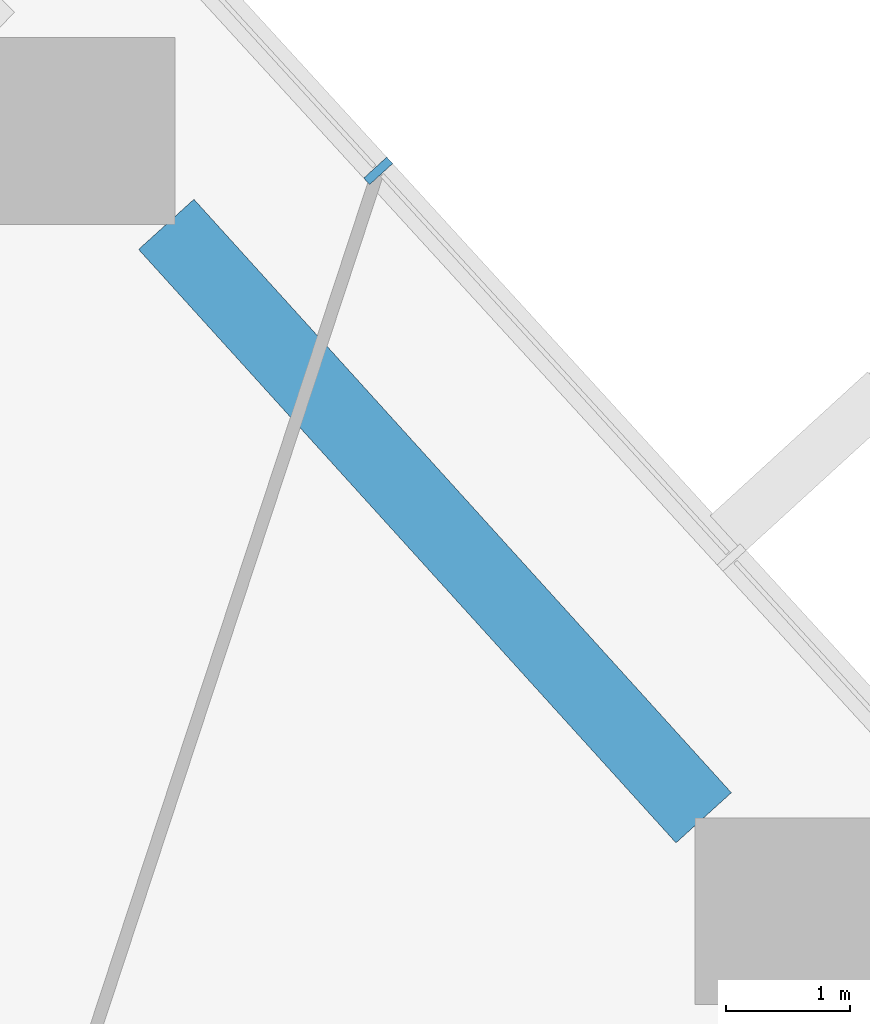
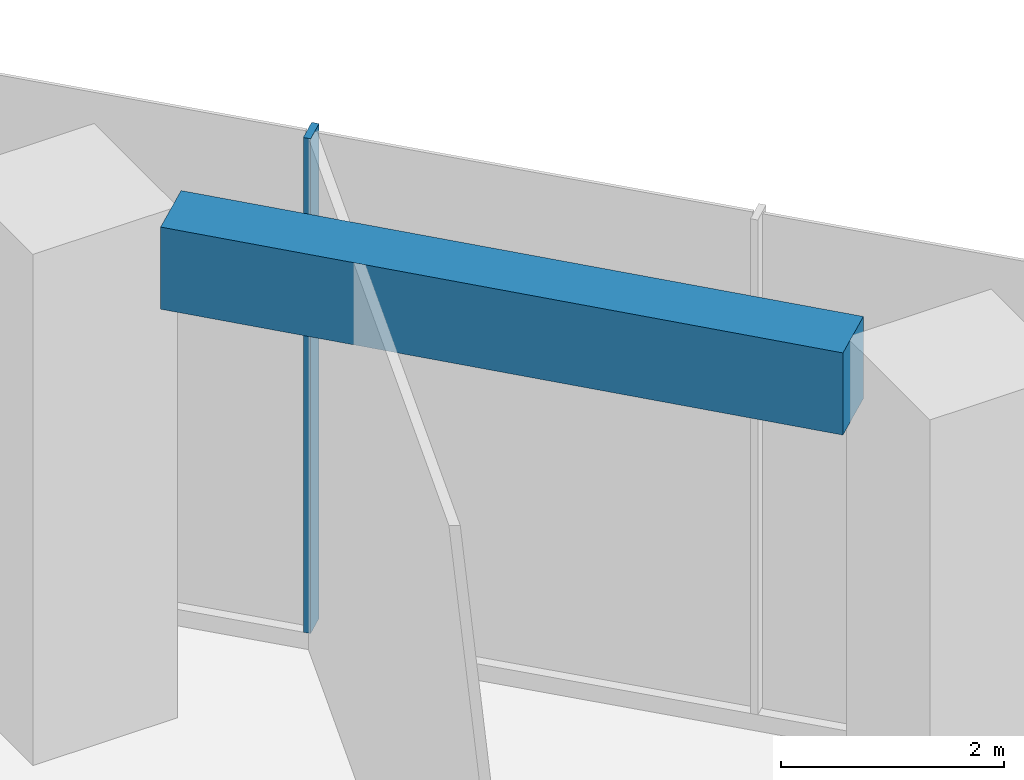
# One storey, part 5 of 19: 1 beam, 1 member, 1 element without a shape of its own.
"""IFC4 building model written with IfcOpenShell, lengths in metres."""

from ifc_helpers import new_model, si_unit, direction, frame, origin, origin_2d, place, context, subcontext, project, spatial, rectangle, extrude, material, layer, layer_set, material_profile, profile_set, type_object, element, aggregate, save


model = new_model("IFC4")

# Units and contexts
model_context = context("Model", 3, precision=1e-05, world=origin(), true_north=direction((0.0, 1.0)))
body_context = subcontext(model_context, "Body", "Model", "MODEL_VIEW")
ifc_project = project(units=[si_unit("LENGTHUNIT", "METRE"), si_unit("AREAUNIT", "SQUARE_METRE"), si_unit("VOLUMEUNIT", "CUBIC_METRE"), si_unit("PLANEANGLEUNIT", "RADIAN"), si_unit("MASSUNIT", "GRAM", prefix="KILO")], contexts=[model_context])

# Site, building, storey
site_placement = place(None, origin())
site = spatial("IfcSite", under=ifc_project, at=site_placement, CompositionType="ELEMENT")
building_placement = place(site_placement, origin())
building = spatial("IfcBuilding", under=site, at=building_placement, Name="Dongbaek Canopy Tower", CompositionType="ELEMENT")
storey_placement = place(building_placement, frame((0.0, 0.0, 38.0)))
storey = spatial("IfcBuildingStorey", under=building, at=storey_placement, Name="L05", CompositionType="ELEMENT", Elevation=38.0)

# Curtain wall, member
ifc_material_1 = material(Name="Aluminium 6063-T6 pale anodised", Category="aluminium")
ifc_layer = layer(ifc_material_1, 0.25)
ifc_layer_set = layer_set([ifc_layer], Name="CW-4 sky-lobby curtain wall")
curtain_wall_type = type_object("IfcCurtainWallType", Name="CW-4 sky-lobby curtain wall", PredefinedType="NOTDEFINED", material=ifc_layer_set)
curtain_wall_placement = place(storey_placement, origin())
curtain_wall = element("IfcCurtainWall", 1, at=curtain_wall_placement, inside=storey, type_object=curtain_wall_type, Name="CW-4 curtain wall F0.1", PredefinedType="NOTDEFINED")
ifc_material_2 = material(Name="Aluminium 6063-T6 pale anodised", Category="aluminium")
ifc_material_profile_1 = material_profile(ifc_material_2, rectangle(XDim=0.25, YDim=0.070068359375, at=origin_2d()), Name="CW-4 mullion 70 x 250")
ifc_profile_set_1 = profile_set([ifc_material_profile_1], Name="Aluminium 6063-T6 pale anodised")
member_type = type_object("IfcMemberType", Name="CW-4 mullion 70 x 250", PredefinedType="MULLION", material=ifc_profile_set_1)
member_placement = place(storey_placement, frame((23.187255859375, 26.97705078125, 0.179931640625), z_axis=(0.0, 0.0, 1.0), x_axis=(0.738140821352, 0.674646668897, 0.0)))
member = element("IfcMember", 2, at=member_placement, type_object=member_type, Name="CW-4 mullion F0.1.6", PredefinedType="MULLION", context=body_context, shape_type="SweptSolid", body=[
    extrude(rectangle(XDim=0.25, YDim=0.070068359375, at=origin_2d()), origin(), (0.0, 0.0, 1.0), 5.420166015625),
])
aggregate(curtain_wall, [member])

# Beam
ifc_material_3 = material(Name="Concrete C80", Category="concrete")
ifc_material_profile_2 = material_profile(ifc_material_3, rectangle(XDim=0.60009765625, YDim=0.89990234375, at=origin_2d()), Name="RC EDGE BEAM 600x900 C80")
ifc_profile_set_2 = profile_set([ifc_material_profile_2], Name="Concrete C80")
beam_type = type_object("IfcBeamType", Name="RC EDGE BEAM 600x900 C80", PredefinedType="BEAM", material=ifc_profile_set_2)
beam_placement = place(storey_placement, frame((21.484375, 26.547119140625, 5.14990234375), z_axis=(0.671288874095, -0.741195822652, 0.0), x_axis=(0.741195822652, 0.671288874095, 0.0)))
element("IfcBeam", 3, at=beam_placement, inside=storey, type_object=beam_type, Name="EDGEBEAM:L05:18", PredefinedType="BEAM", context=body_context, shape_type="SweptSolid", body=[
    extrude(rectangle(XDim=0.60009765625, YDim=0.89990234375, at=origin_2d()), origin(), (0.0, 0.0, 1.0), 6.432861328125),
])

save(model, "model.ifc")
